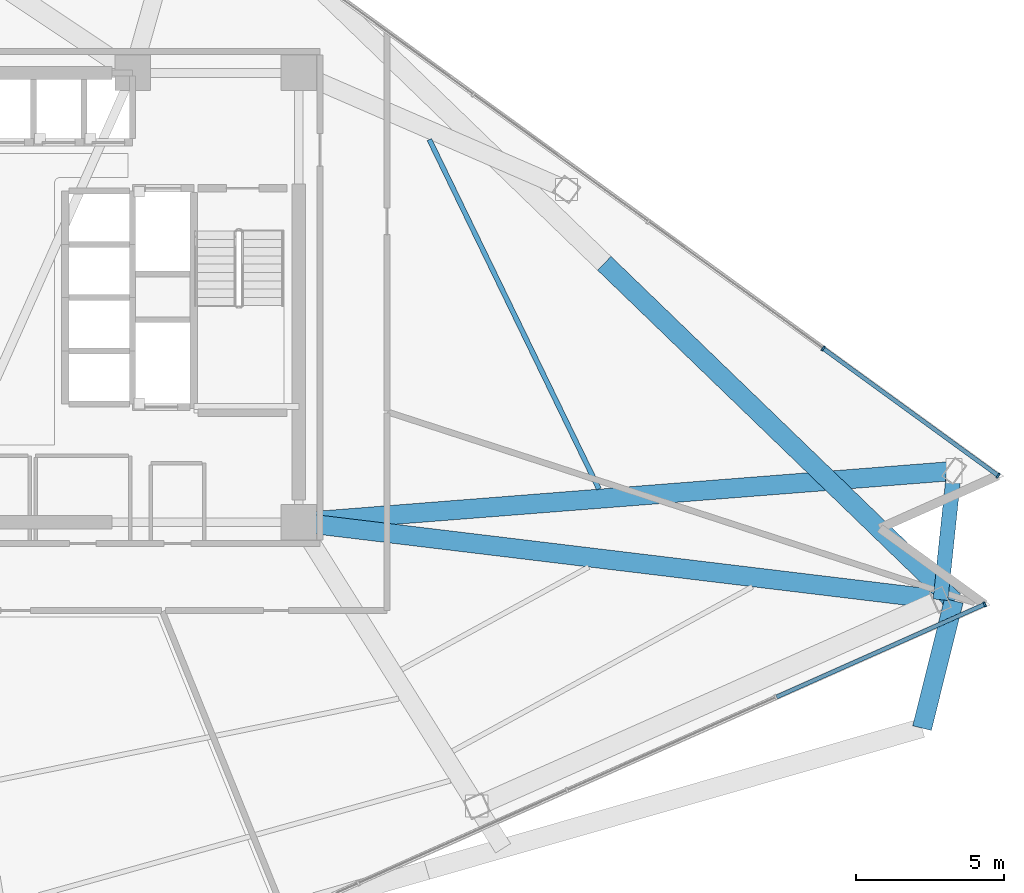
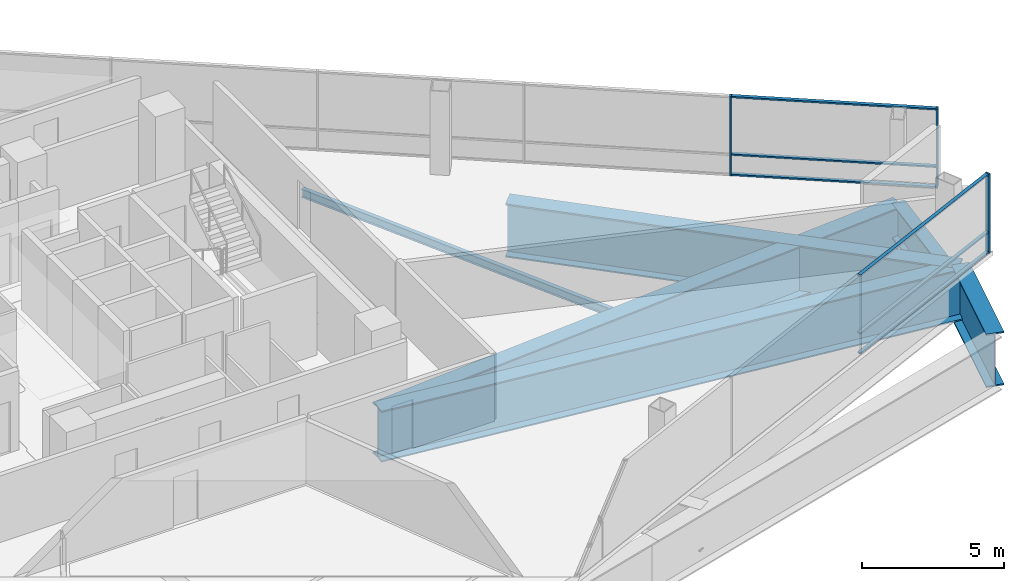
# One storey, part 6 of 17: 9 members, 6 beams, 2 elements without a shape of their own.
"""IFC4 building model written with IfcOpenShell, lengths in metres."""

from ifc_helpers import new_model, si_unit, direction, frame, origin, origin_2d, place, context, subcontext, project, spatial, rectangle, i_section, extrude, material, layer, layer_set, material_profile, profile_set, type_object, element, aggregate, save


model = new_model("IFC4")

# Units and contexts
model_context = context("Model", 3, precision=1e-05, world=origin(), true_north=direction((0.0, 1.0)))
body_context = subcontext(model_context, "Body", "Model", "MODEL_VIEW")
ifc_project = project(units=[si_unit("LENGTHUNIT", "METRE"), si_unit("AREAUNIT", "SQUARE_METRE"), si_unit("VOLUMEUNIT", "CUBIC_METRE"), si_unit("PLANEANGLEUNIT", "RADIAN"), si_unit("MASSUNIT", "GRAM", prefix="KILO")], contexts=[model_context])

# Site, building, storey
site_placement = place(None, origin())
site = spatial("IfcSite", under=ifc_project, at=site_placement, CompositionType="ELEMENT")
building_placement = place(site_placement, origin())
building = spatial("IfcBuilding", under=site, at=building_placement, Name="Tharavind Bronze Gate", CompositionType="ELEMENT")
storey_placement = place(building_placement, frame((0.0, 0.0, 112.449951171875)))
storey = spatial("IfcBuildingStorey", under=building, at=storey_placement, Name="L28", CompositionType="ELEMENT", Elevation=112.449951171875)

# Curtain wall, member
ifc_material_1 = material(Name="Anodised Bronze Aluminium", Category="aluminium")
ifc_layer = layer(ifc_material_1, 0.219970703125)
ifc_layer_set = layer_set([ifc_layer], Name="Anodised Bronze Aluminium")
curtain_wall_type = type_object("IfcCurtainWallType", Name="UNITISED CURTAIN WALL LOWER OFFICE", PredefinedType="USERDEFINED", material=ifc_layer_set)
curtain_wall_1_placement = place(storey_placement, origin())
curtain_wall_1 = element("IfcCurtainWall", 1, at=curtain_wall_1_placement, inside=storey, type_object=curtain_wall_type, Name="L28 unitised curtain wall lower office CW-L28-S2", ObjectType="UNITISED CURTAIN WALL", PredefinedType="USERDEFINED")
member_type_1 = type_object("IfcMemberType", Name="CURTAIN WALL BRONZE MULLION 65X180", PredefinedType="MULLION", material=ifc_material_1)
member_1_placement = place(storey_placement, frame((32.099853515625, -10.3759765625, 0.0), z_axis=(0.0, 0.0, 1.0), x_axis=(0.913545457643, 0.406736643076, 0.0)))
member_1 = element("IfcMember", 2, at=member_1_placement, type_object=member_type_1, Name="CW-L28-S2 mullion 8", PredefinedType="MULLION", context=body_context, shape_type="SweptSolid", body=[
    extrude(rectangle(XDim=0.06494140625, YDim=0.179931640625, at=origin_2d()), origin(), (0.0, 0.0, 1.0), 3.409912109375),
])

# Curtain wall, members
curtain_wall_2_placement = place(storey_placement, origin())
curtain_wall_2 = element("IfcCurtainWall", 3, at=curtain_wall_2_placement, inside=storey, type_object=curtain_wall_type, Name="L28 unitised curtain wall lower office CW-L28-S3", ObjectType="UNITISED CURTAIN WALL", PredefinedType="USERDEFINED")
member_2_placement = place(storey_placement, frame((32.5576171875, -6.02001953125, 0.0), z_axis=(0.0, 0.0, 1.0), x_axis=(-0.809016994375, 0.587785252292, 0.0)))
member_2 = element("IfcMember", 4, at=member_2_placement, type_object=member_type_1, Name="CW-L28-S3 mullion 1", PredefinedType="MULLION", context=body_context, shape_type="SweptSolid", body=[
    extrude(rectangle(XDim=0.06494140625, YDim=0.179931640625, at=origin_2d()), origin(), (0.0, 0.0, 1.0), 3.409912109375),
])
member_3_placement = place(storey_placement, frame((26.64111328125, -1.72119140625, 0.0), z_axis=(0.0, 0.0, 1.0), x_axis=(-0.809016994375, 0.587785252292, 0.0)))
member_3 = element("IfcMember", 5, at=member_3_placement, type_object=member_type_1, Name="CW-L28-S3 mullion 2", PredefinedType="MULLION", context=body_context, shape_type="SweptSolid", body=[
    extrude(rectangle(XDim=0.06494140625, YDim=0.179931640625, at=origin_2d()), origin(), (0.0, 0.0, 1.0), 3.409912109375),
])

# Member
member_type_2 = type_object("IfcMemberType", Name="CURTAIN WALL BRONZE TRANSOM 65X140", PredefinedType="USERDEFINED", material=ifc_material_1)
member_4_placement = place(storey_placement, frame((28.568603515625, -11.947998046875, 0.0), z_axis=(0.0, 0.0, 1.0), x_axis=(0.913545457643, 0.406736643076, 0.0)))
member_4 = element("IfcMember", 6, at=member_4_placement, type_object=member_type_2, Name="CW-L28-S2 transom TB7", ObjectType="TRANSOM", PredefinedType="USERDEFINED", context=body_context, shape_type="SweptSolid", body=[
    extrude(rectangle(XDim=7.677490234375, YDim=0.139892578125, at=origin_2d()), origin(), (0.0, 0.0, 1.0), 0.06494140625),
])

member_5_placement = place(storey_placement, frame((28.568603515625, -11.947998046875, 0.86767578125), z_axis=(0.0, 0.0, 1.0), x_axis=(0.913545457643, 0.406736643076, 0.0)))
member_5 = element("IfcMember", 7, at=member_5_placement, type_object=member_type_2, Name="CW-L28-S2 transom TS7", ObjectType="TRANSOM", PredefinedType="USERDEFINED", context=body_context, shape_type="SweptSolid", body=[
    extrude(rectangle(XDim=7.677490234375, YDim=0.139892578125, at=origin_2d()), origin(), (0.0, 0.0, 1.0), 0.06494140625),
])

member_6_placement = place(storey_placement, frame((28.568603515625, -11.947998046875, 3.344970703125), z_axis=(0.0, 0.0, 1.0), x_axis=(0.913545457643, 0.406736643076, 0.0)))
member_6 = element("IfcMember", 8, at=member_6_placement, type_object=member_type_2, Name="CW-L28-S2 transom TT7", ObjectType="TRANSOM", PredefinedType="USERDEFINED", context=body_context, shape_type="SweptSolid", body=[
    extrude(rectangle(XDim=7.677490234375, YDim=0.139892578125, at=origin_2d()), origin(), (0.0, 0.0, 1.0), 0.06494140625),
])

aggregate(curtain_wall_1, [member_1, member_4, member_5, member_6])

member_7_placement = place(storey_placement, frame((29.599365234375, -3.87060546875, 0.0), z_axis=(0.0, 0.0, 1.0), x_axis=(-0.809016994375, 0.587785252292, 0.0)))
member_7 = element("IfcMember", 9, at=member_7_placement, type_object=member_type_2, Name="CW-L28-S3 transom TB1", ObjectType="TRANSOM", PredefinedType="USERDEFINED", context=body_context, shape_type="SweptSolid", body=[
    extrude(rectangle(XDim=7.260498046875, YDim=0.139892578125, at=origin_2d()), origin(), (0.0, 0.0, 1.0), 0.06494140625),
])

member_8_placement = place(storey_placement, frame((29.599365234375, -3.87060546875, 0.86767578125), z_axis=(0.0, 0.0, 1.0), x_axis=(-0.809016994375, 0.587785252292, 0.0)))
member_8 = element("IfcMember", 10, at=member_8_placement, type_object=member_type_2, Name="CW-L28-S3 transom TS1", ObjectType="TRANSOM", PredefinedType="USERDEFINED", context=body_context, shape_type="SweptSolid", body=[
    extrude(rectangle(XDim=7.260498046875, YDim=0.139892578125, at=origin_2d()), origin(), (0.0, 0.0, 1.0), 0.06494140625),
])

member_9_placement = place(storey_placement, frame((29.599365234375, -3.87060546875, 3.344970703125), z_axis=(0.0, 0.0, 1.0), x_axis=(-0.809016994375, 0.587785252292, 0.0)))
member_9 = element("IfcMember", 11, at=member_9_placement, type_object=member_type_2, Name="CW-L28-S3 transom TT1", ObjectType="TRANSOM", PredefinedType="USERDEFINED", context=body_context, shape_type="SweptSolid", body=[
    extrude(rectangle(XDim=7.260498046875, YDim=0.139892578125, at=origin_2d()), origin(), (0.0, 0.0, 1.0), 0.06494140625),
])

aggregate(curtain_wall_2, [member_2, member_3, member_7, member_8, member_9])

# Beams
ifc_material_2 = material(Name="Steel S355", Category="steel")
ifc_material_profile_1 = material_profile(ifc_material_2, i_section(OverallWidth=0.169921875, OverallDepth=0.360107421875, WebThickness=0.008056640625, FlangeThickness=0.0126953125, at=origin_2d()), Name="IPE360")
ifc_profile_set_1 = profile_set([ifc_material_profile_1], Name="Steel S355")
beam_type_1 = type_object("IfcBeamType", Name="SECONDARY FLOOR JOIST IPE360", PredefinedType="JOIST", material=ifc_profile_set_1)
beam_1_placement = place(storey_placement, frame((19.052978515625, -6.474609375, -0.369873046875), z_axis=(-0.43652555527, 0.899691858136, 0.0), x_axis=(-0.899691858136, -0.43652555527, 0.0)))
element("IfcBeam", 12, at=beam_1_placement, inside=storey, type_object=beam_type_1, Name="L28 secondary floor joist ipe360 BM-L28-JSTA09", PredefinedType="JOIST", context=body_context, shape_type="SweptSolid", body=[
    extrude(i_section(OverallWidth=0.169921875, OverallDepth=0.360107421875, WebThickness=0.008056640625, FlangeThickness=0.0126953125, at=origin_2d()), origin(), (0.0, 0.0, 1.0), 13.141357421875),
])
ifc_material_3 = material(Name="Steel S460", Category="steel")
ifc_material_profile_2 = material_profile(ifc_material_3, i_section(OverallWidth=0.5, OverallDepth=1.5, WebThickness=0.028076171875, FlangeThickness=0.050048828125, at=origin_2d()), Name="PG1500X500")
ifc_profile_set_2 = profile_set([ifc_material_profile_2], Name="Steel S460")
beam_type_2 = type_object("IfcBeamType", Name="TRANSFER GIRDER 1500X500", PredefinedType="USERDEFINED", material=ifc_profile_set_2)
beam_2_placement = place(storey_placement, frame((30.60791015625, -10.218994140625, -0.93994140625), z_axis=(0.1045687219, 0.994517663192, 0.0), x_axis=(-0.994517663192, 0.1045687219, 0.0)))
element("IfcBeam", 13, at=beam_2_placement, inside=storey, type_object=beam_type_2, Name="L28 transfer girder 1500x500 BM-L28-URG08", ObjectType="TRANSFER GIRDER", PredefinedType="USERDEFINED", context=body_context, shape_type="SweptSolid", body=[
    extrude(i_section(OverallWidth=0.5, OverallDepth=1.5, WebThickness=0.028076171875, FlangeThickness=0.050048828125, at=origin_2d()), origin(), (0.0, 0.0, 1.0), 4.3798828125),
])
ifc_material_profile_3 = material_profile(ifc_material_3, i_section(OverallWidth=0.64990234375, OverallDepth=2.199951171875, WebThickness=0.035888671875, FlangeThickness=0.054931640625, at=origin_2d()), Name="PG2200X650")
ifc_profile_set_3 = profile_set([ifc_material_profile_3], Name="Steel S460")
beam_type_3 = type_object("IfcBeamType", Name="TRANSFER GIRDER 2200X650", PredefinedType="USERDEFINED", material=ifc_profile_set_3)
beam_3_placement = place(storey_placement, frame((8.89990234375, -7.60009765625, -1.2900390625), z_axis=(0.992801311679, -0.119772933204, 0.0), x_axis=(0.119772933204, 0.992801311679, 0.0)))
element("IfcBeam", 14, at=beam_3_placement, inside=storey, type_object=beam_type_3, Name="L28 transfer girder 2200x650 BM-L28-XFR08", ObjectType="TRANSFER GIRDER", PredefinedType="USERDEFINED", context=body_context, shape_type="SweptSolid", body=[
    extrude(i_section(OverallWidth=0.64990234375, OverallDepth=2.199951171875, WebThickness=0.035888671875, FlangeThickness=0.054931640625, at=origin_2d()), origin(), (0.0, 0.0, 1.0), 22.31396484375),
])
beam_4_placement = place(storey_placement, frame((8.89990234375, -7.60009765625, -1.2900390625), z_axis=(0.996943461066, 0.078126406792, 0.0), x_axis=(-0.078126406792, 0.996943461066, 0.0)))
element("IfcBeam", 15, at=beam_4_placement, inside=storey, type_object=beam_type_3, Name="L28 transfer girder 2200x650 BM-L28-XFR09", ObjectType="TRANSFER GIRDER", PredefinedType="USERDEFINED", context=body_context, shape_type="SweptSolid", body=[
    extrude(i_section(OverallWidth=0.64990234375, OverallDepth=2.199951171875, WebThickness=0.035888671875, FlangeThickness=0.054931640625, at=origin_2d()), origin(), (0.0, 0.0, 1.0), 22.23388671875),
])
ifc_material_profile_4 = material_profile(ifc_material_3, i_section(OverallWidth=0.64990234375, OverallDepth=2.300048828125, WebThickness=0.035888671875, FlangeThickness=0.05810546875, at=origin_2d()), Name="PG2300X650")
ifc_profile_set_4 = profile_set([ifc_material_profile_4], Name="Steel S460")
beam_type_4 = type_object("IfcBeamType", Name="TRANSFER GIRDER 2300X650", PredefinedType="USERDEFINED", material=ifc_profile_set_4)
beam_5_placement = place(storey_placement, frame((29.9833984375, -14.563720703125, -1.33984375), z_axis=(0.241940431812, 0.970291104491, 0.0), x_axis=(-0.970291104491, 0.241940431812, 0.0)))
element("IfcBeam", 16, at=beam_5_placement, inside=storey, type_object=beam_type_4, Name="L28 transfer girder 2300x650 BM-L28-LRG08", ObjectType="TRANSFER GIRDER", PredefinedType="USERDEFINED", context=body_context, shape_type="SweptSolid", body=[
    extrude(i_section(OverallWidth=0.64990234375, OverallDepth=2.300048828125, WebThickness=0.035888671875, FlangeThickness=0.05810546875, at=origin_2d()), origin(), (0.0, 0.0, 1.0), 4.43994140625),
])
beam_6_placement = place(storey_placement, frame((31.0576171875, -10.255615234375, -1.33984375), z_axis=(-0.719336950964, 0.694661321061, 0.0), x_axis=(-0.694661321061, -0.719336950964, 0.0)))
element("IfcBeam", 17, at=beam_6_placement, inside=storey, type_object=beam_type_4, Name="L28 transfer girder 2300x650 BM-L28-LRG09", ObjectType="TRANSFER GIRDER", PredefinedType="USERDEFINED", context=body_context, shape_type="SweptSolid", body=[
    extrude(i_section(OverallWidth=0.64990234375, OverallDepth=2.300048828125, WebThickness=0.035888671875, FlangeThickness=0.05810546875, at=origin_2d()), origin(), (0.0, 0.0, 1.0), 16.433837890625),
])

save(model, "model.ifc")
